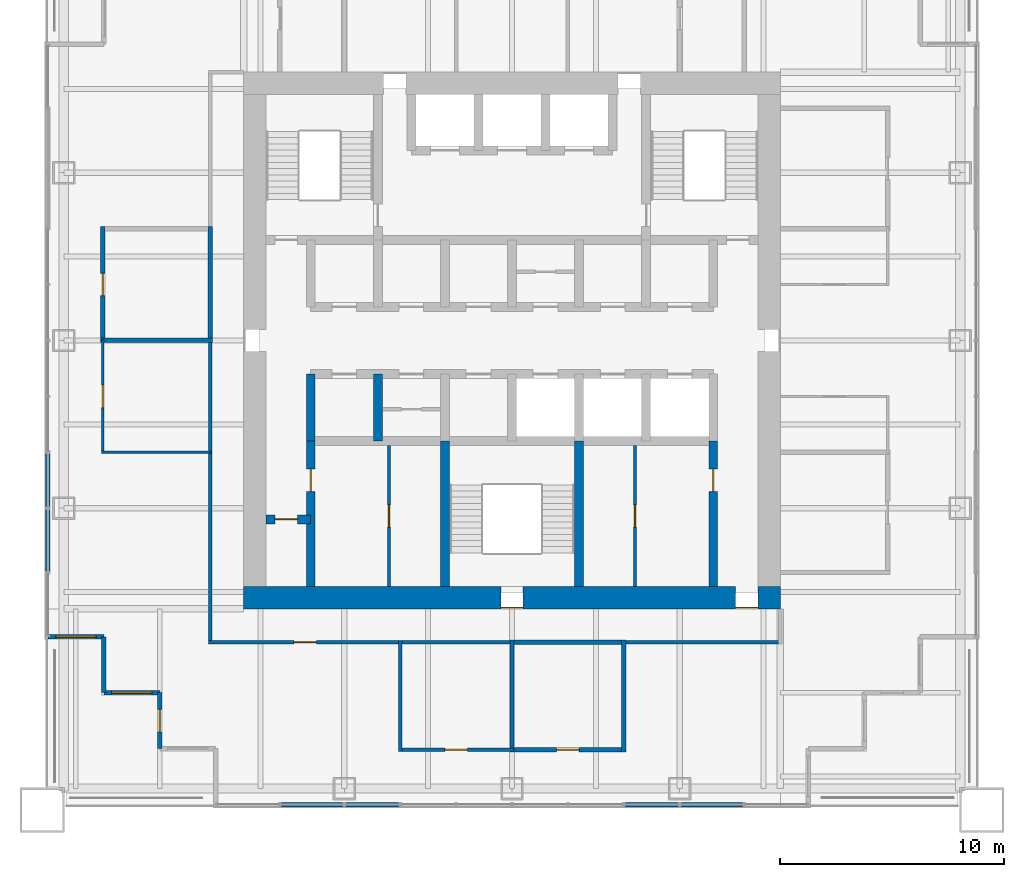
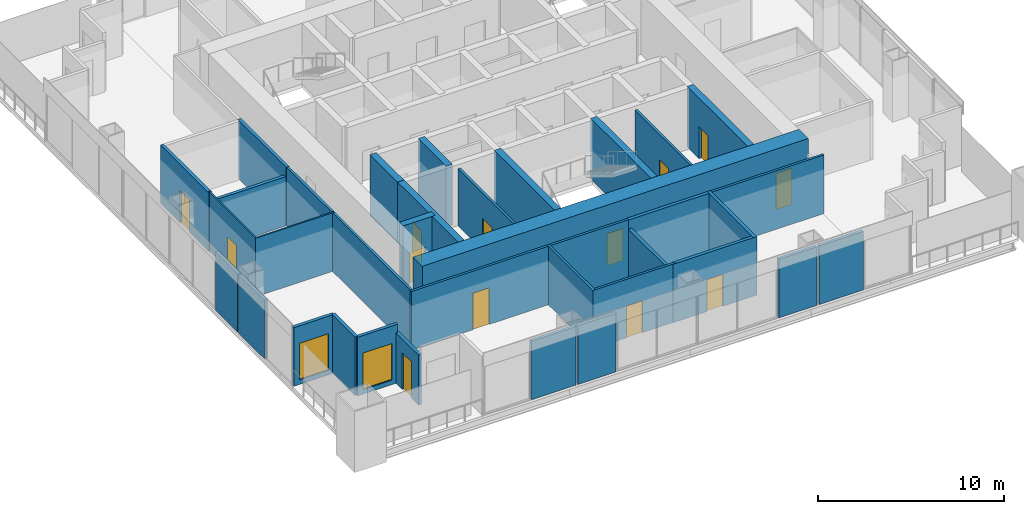
# One storey, part 9 of 14: 34 walls, 13 doors, 2 windows, 15 openings.
"""IFC4 building model written with IfcOpenShell, lengths in metres."""

from ifc_helpers import new_model, si_unit, direction, frame, frame_2d, origin, place, context, subcontext, project, spatial, rectangle, extrude, material, layer, layer_set, type_object, element, fill, save


model = new_model("IFC4")

# Units and contexts
model_context = context("Model", 3, precision=1e-05, world=origin(), true_north=direction((0.0, 1.0)))
body_context = subcontext(model_context, "Body", "Model", "MODEL_VIEW")
ifc_project = project(units=[si_unit("LENGTHUNIT", "METRE"), si_unit("AREAUNIT", "SQUARE_METRE"), si_unit("VOLUMEUNIT", "CUBIC_METRE"), si_unit("PLANEANGLEUNIT", "RADIAN"), si_unit("MASSUNIT", "GRAM", prefix="KILO")], contexts=[model_context])

# Site, building, storey
site_placement = place(None, origin())
site = spatial("IfcSite", under=ifc_project, at=site_placement, CompositionType="ELEMENT")
building_placement = place(site_placement, origin())
building = spatial("IfcBuilding", under=site, at=building_placement, Name="Tarangal Relay Tower", CompositionType="ELEMENT")
storey_placement = place(building_placement, frame((0.0, 0.0, 307.89990234375)))
storey = spatial("IfcBuildingStorey", under=building, at=storey_placement, Name="L68", CompositionType="ELEMENT", Elevation=307.89990234375)

# Wall, opening, door
ifc_material_1 = material(Name="Two layers gypsum board each side on twin steel studs, mineral wool", Category="steel")
ifc_layer_1 = layer(ifc_material_1, 0.199951171875)
ifc_layer_set_1 = layer_set([ifc_layer_1], Name="Acoustic partition 200")
wall_type_1 = type_object("IfcWallType", Name="Acoustic partition 200", PredefinedType="PARTITIONING", material=ifc_layer_set_1)
wall_1_placement = place(storey_placement, frame((-0.10009765625, -18.300048828125, 0.0), z_axis=(0.0, 0.0, 1.0), x_axis=(1.0, 0.0, 0.0)))
wall_1 = element("IfcWall", 1, at=wall_1_placement, inside=storey, type_object=wall_type_1, Name="Partition PT2 L68", PredefinedType="PARTITIONING", context=body_context, shape_type="SweptSolid", body=[
    extrude(rectangle(XDim=5.2001953125, YDim=0.199951171875, at=frame_2d((2.60009765625, 0.0))), origin(), (0.0, 0.0, 1.0), 3.85009765625),
])
opening_1_placement = place(wall_1_placement, frame((2.10009765625, 0.0, 0.0)))
opening_1 = element("IfcOpeningElement", 2, at=opening_1_placement, cuts=wall_1, Name="Opening D2", PredefinedType="OPENING", context=body_context, shape_type="SweptSolid", body=[
    extrude(rectangle(XDim=1.0, YDim=2.10009765625, at=frame_2d((0.5, 1.050048828125))), frame((0.0, 0.10986328125, 0.0), z_axis=(0.0, -1.0, 0.0), x_axis=(1.0, 0.0, 0.0)), (0.0, 0.0, 1.0), 0.219970703125),
])
ifc_material_2 = material(Name="Hardwood door", Category="wood")
door_type_1 = type_object("IfcDoorType", Name="Door 1000 x 2100", OperationType="SINGLE_SWING_LEFT", PredefinedType="DOOR", material=ifc_material_2)
door_1_placement = place(opening_1_placement, origin())
door_1 = element("IfcDoor", 3, at=door_1_placement, inside=storey, type_object=door_type_1, Name="Door D2 to quiet room L68-09", OperationType="SINGLE_SWING_LEFT", OverallHeight=2.10009765625, OverallWidth=1.0, PredefinedType="DOOR", context=body_context, shape_type="SweptSolid", body=[
    extrude(rectangle(XDim=1.0, YDim=2.10009765625, at=frame_2d((0.5, 1.050048828125))), frame((0.0, 0.02490234375, 0.0), z_axis=(0.0, -1.0, 0.0), x_axis=(1.0, 0.0, 0.0)), (0.0, 0.0, 1.0), 0.050048828125),
])
fill(opening_1, door_1)

# Walls
wall_2_placement = place(storey_placement, frame((-0.10009765625, -13.5, 0.0), z_axis=(0.0, 0.0, 1.0), x_axis=(1.0, 0.0, 0.0)))
element("IfcWall", 4, at=wall_2_placement, inside=storey, type_object=wall_type_1, Name="Partition PT2 L68", PredefinedType="PARTITIONING", context=body_context, shape_type="SweptSolid", body=[
    extrude(rectangle(XDim=5.2001953125, YDim=0.199951171875, at=frame_2d((2.60009765625, 0.0))), origin(), (0.0, 0.0, 1.0), 3.85009765625),
])
wall_3_placement = place(storey_placement, frame((-18.39990234375, 0.0, 0.0), z_axis=(0.0, 0.0, 1.0), x_axis=(1.0, 0.0, 0.0)))
element("IfcWall", 5, at=wall_3_placement, inside=storey, type_object=wall_type_1, Name="Partition PT2 L68", PredefinedType="PARTITIONING", context=body_context, shape_type="SweptSolid", body=[
    extrude(rectangle(XDim=5.0, YDim=0.199951171875, at=frame_2d((2.5, 0.0))), origin(), (0.0, 0.0, 1.0), 3.2431640625),
])

# Wall, opening, door
wall_4_placement = place(storey_placement, frame((-18.300048828125, -0.10009765625, 0.0), z_axis=(0.0, 0.0, 1.0), x_axis=(0.0, 1.0, 0.0)))
wall_4 = element("IfcWall", 6, at=wall_4_placement, inside=storey, type_object=wall_type_1, Name="Partition PT2 L68", PredefinedType="PARTITIONING", context=body_context, shape_type="SweptSolid", body=[
    extrude(rectangle(XDim=5.2001953125, YDim=0.199951171875, at=frame_2d((2.60009765625, 0.0))), origin(), (0.0, 0.0, 1.0), 3.85009765625),
])
opening_2_placement = place(wall_4_placement, frame((2.10009765625, 0.0, 0.0)))
opening_2 = element("IfcOpeningElement", 7, at=opening_2_placement, cuts=wall_4, Name="Opening D2", PredefinedType="OPENING", context=body_context, shape_type="SweptSolid", body=[
    extrude(rectangle(XDim=1.0, YDim=2.10009765625, at=frame_2d((0.5, 1.050048828125))), frame((0.0, 0.10986328125, 0.0), z_axis=(0.0, -1.0, 0.0), x_axis=(1.0, 0.0, 0.0)), (0.0, 0.0, 1.0), 0.219970703125),
])
door_2_placement = place(opening_2_placement, origin())
door_2 = element("IfcDoor", 8, at=door_2_placement, inside=storey, type_object=door_type_1, Name="Door D2 to wellness room L68-12", OperationType="SINGLE_SWING_LEFT", OverallHeight=2.10009765625, OverallWidth=1.0, PredefinedType="DOOR", context=body_context, shape_type="SweptSolid", body=[
    extrude(rectangle(XDim=1.0, YDim=2.10009765625, at=frame_2d((0.5, 1.050048828125))), frame((0.0, 0.02490234375, 0.0), z_axis=(0.0, -1.0, 0.0), x_axis=(1.0, 0.0, 0.0)), (0.0, 0.0, 1.0), 0.050048828125),
])
fill(opening_2, door_2)

# Walls
wall_5_placement = place(storey_placement, frame((-13.5, -0.10009765625, 0.0), z_axis=(0.0, 0.0, 1.0), x_axis=(0.0, 1.0, 0.0)))
element("IfcWall", 9, at=wall_5_placement, inside=storey, type_object=wall_type_1, Name="Partition PT2 L68", PredefinedType="PARTITIONING", context=body_context, shape_type="SweptSolid", body=[
    extrude(rectangle(XDim=5.2001953125, YDim=0.199951171875, at=frame_2d((2.60009765625, 0.0))), origin(), (0.0, 0.0, 1.0), 3.85009765625),
])
wall_6_placement = place(storey_placement, frame((0.0, -18.39990234375, 0.0), z_axis=(0.0, 0.0, 1.0), x_axis=(0.0, 1.0, 0.0)))
element("IfcWall", 10, at=wall_6_placement, inside=storey, type_object=wall_type_1, Name="Partition PT2 L68", PredefinedType="PARTITIONING", context=body_context, shape_type="SweptSolid", body=[
    extrude(rectangle(XDim=5.0, YDim=0.199951171875, at=frame_2d((2.5, 0.0))), origin(), (0.0, 0.0, 1.0), 3.2431640625),
])
wall_7_placement = place(storey_placement, frame((5.0, -18.39990234375, 0.0), z_axis=(0.0, 0.0, 1.0), x_axis=(0.0, 1.0, 0.0)))
element("IfcWall", 11, at=wall_7_placement, inside=storey, type_object=wall_type_1, Name="Partition PT2 L68", PredefinedType="PARTITIONING", context=body_context, shape_type="SweptSolid", body=[
    extrude(rectangle(XDim=5.0, YDim=0.199951171875, at=frame_2d((2.5, 0.0))), origin(), (0.0, 0.0, 1.0), 3.85009765625),
])

# Wall, opening, door
ifc_material_3 = material(Name="Concrete fc' 60 MPa", Category="concrete")
ifc_layer_2 = layer(ifc_material_3, 0.39990234375)
ifc_layer_set_2 = layer_set([ifc_layer_2], Name="Core inner wall 400")
wall_type_2 = type_object("IfcWallType", Name="Core inner wall 400", PredefinedType="SHEAR", material=ifc_layer_set_2)
wall_8_placement = place(storey_placement, frame((-11.0, -8.0, 0.0), z_axis=(0.0, 0.0, 1.0), x_axis=(1.0, 0.0, 0.0)))
wall_8 = element("IfcWall", 12, at=wall_8_placement, inside=storey, type_object=wall_type_2, Name="Core wall YM8 L68", PredefinedType="SHEAR", context=body_context, shape_type="SweptSolid", body=[
    extrude(rectangle(XDim=2.0, YDim=0.39990234375, at=frame_2d((1.0, 0.0))), origin(), (0.0, 0.0, 1.0), 4.0),
])
opening_3_placement = place(wall_8_placement, frame((0.39990234375, 0.0, 0.0)))
opening_3 = element("IfcOpeningElement", 13, at=opening_3_placement, cuts=wall_8, Name="Opening D1", PredefinedType="OPENING", context=body_context, shape_type="SweptSolid", body=[
    extrude(rectangle(XDim=1.0, YDim=2.10009765625, at=frame_2d((0.5, 1.050048828125))), frame((0.0, 0.2099609375, 0.0), z_axis=(0.0, -1.0, 0.0), x_axis=(1.0, 0.0, 0.0)), (0.0, 0.0, 1.0), 0.419921875),
])
door_type_2 = type_object("IfcDoorType", Name="WC door 1000 x 2100", OperationType="SINGLE_SWING_LEFT", PredefinedType="DOOR", material=ifc_material_2)
door_3_placement = place(opening_3_placement, origin())
door_3 = element("IfcDoor", 14, at=door_3_placement, inside=storey, type_object=door_type_2, Name="Accessible WC door L68", OperationType="SINGLE_SWING_LEFT", OverallHeight=2.10009765625, OverallWidth=1.0, PredefinedType="DOOR", context=body_context, shape_type="SweptSolid", body=[
    extrude(rectangle(XDim=1.0, YDim=2.10009765625, at=frame_2d((0.5, 1.050048828125))), frame((0.0, 0.02490234375, 0.0), z_axis=(0.0, -1.0, 0.0), x_axis=(1.0, 0.0, 0.0)), (0.0, 0.0, 1.0), 0.050048828125),
])
fill(opening_3, door_3)

# Walls
for number, where, z_axis, x_axis, name in (
    (15, (-9.0, -4.5, 0.0), (0.0, 0.0, 1.0), (0.0, 1.0, 0.0), "Core wall XM9S L68"),
    (16, (-6.0, -4.5, 0.0), (0.0, 0.0, 1.0), (0.0, 1.0, 0.0), "Core wall XM6S L68"),
):
    element("IfcWall", number, at=place(storey_placement, frame(where, z_axis=z_axis, x_axis=x_axis)), inside=storey, type_object=wall_type_2, Name=name, PredefinedType="SHEAR", context=body_context, shape_type="SweptSolid", body=[
        extrude(rectangle(XDim=3.0, YDim=0.39990234375, at=frame_2d((1.5, 0.0))), origin(), (0.0, 0.0, 1.0), 4.0),
    ])

# Wall, opening, door
wall_9_placement = place(storey_placement, frame((-9.0, -11.0, 0.0), z_axis=(0.0, 0.0, 1.0), x_axis=(0.0, 1.0, 0.0)))
wall_9 = element("IfcWall", 17, at=wall_9_placement, inside=storey, type_object=wall_type_2, Name="Core wall XM9W L68", PredefinedType="SHEAR", context=body_context, shape_type="SweptSolid", body=[
    extrude(rectangle(XDim=6.5, YDim=0.39990234375, at=frame_2d((3.25, 0.0))), origin(), (0.0, 0.0, 1.0), 4.0),
])
opening_4_placement = place(wall_9_placement, frame((4.25, 0.0, 0.0)))
opening_4 = element("IfcOpeningElement", 18, at=opening_4_placement, cuts=wall_9, Name="Opening D1", PredefinedType="OPENING", context=body_context, shape_type="SweptSolid", body=[
    extrude(rectangle(XDim=1.0, YDim=2.10009765625, at=frame_2d((0.5, 1.050048828125))), frame((0.0, 0.2099609375, 0.0), z_axis=(0.0, -1.0, 0.0), x_axis=(1.0, 0.0, 0.0)), (0.0, 0.0, 1.0), 0.419921875),
])
door_4_placement = place(opening_4_placement, origin())
door_4 = element("IfcDoor", 19, at=door_4_placement, inside=storey, type_object=door_type_2, Name="Male WC door L68", OperationType="SINGLE_SWING_LEFT", OverallHeight=2.10009765625, OverallWidth=1.0, PredefinedType="DOOR", context=body_context, shape_type="SweptSolid", body=[
    extrude(rectangle(XDim=1.0, YDim=2.10009765625, at=frame_2d((0.5, 1.050048828125))), frame((0.0, 0.02490234375, 0.0), z_axis=(0.0, -1.0, 0.0), x_axis=(1.0, 0.0, 0.0)), (0.0, 0.0, 1.0), 0.050048828125),
])
fill(opening_4, door_4)

wall_10_placement = place(storey_placement, frame((9.0, -11.0, 0.0), z_axis=(0.0, 0.0, 1.0), x_axis=(0.0, 1.0, 0.0)))
wall_10 = element("IfcWall", 20, at=wall_10_placement, inside=storey, type_object=wall_type_2, Name="Core wall X9W L68", PredefinedType="SHEAR", context=body_context, shape_type="SweptSolid", body=[
    extrude(rectangle(XDim=6.5, YDim=0.39990234375, at=frame_2d((3.25, 0.0))), origin(), (0.0, 0.0, 1.0), 4.0),
])
opening_5_placement = place(wall_10_placement, frame((4.25, 0.0, 0.0)))
opening_5 = element("IfcOpeningElement", 21, at=opening_5_placement, cuts=wall_10, Name="Opening D1", PredefinedType="OPENING", context=body_context, shape_type="SweptSolid", body=[
    extrude(rectangle(XDim=1.0, YDim=2.10009765625, at=frame_2d((0.5, 1.050048828125))), frame((0.0, 0.2099609375, 0.0), z_axis=(0.0, -1.0, 0.0), x_axis=(1.0, 0.0, 0.0)), (0.0, 0.0, 1.0), 0.419921875),
])
door_5_placement = place(opening_5_placement, origin())
door_5 = element("IfcDoor", 22, at=door_5_placement, inside=storey, type_object=door_type_2, Name="Female WC door L68", OperationType="SINGLE_SWING_LEFT", OverallHeight=2.10009765625, OverallWidth=1.0, PredefinedType="DOOR", context=body_context, shape_type="SweptSolid", body=[
    extrude(rectangle(XDim=1.0, YDim=2.10009765625, at=frame_2d((0.5, 1.050048828125))), frame((0.0, 0.02490234375, 0.0), z_axis=(0.0, -1.0, 0.0), x_axis=(1.0, 0.0, 0.0)), (0.0, 0.0, 1.0), 0.050048828125),
])
fill(opening_5, door_5)

# Walls
for number, where, z_axis, x_axis, name in (
    (23, (-3.0, -11.0, 0.0), (0.0, 0.0, 1.0), (0.0, 1.0, 0.0), "Core wall XM3W L68"),
    (24, (3.0, -11.0, 0.0), (0.0, 0.0, 1.0), (0.0, 1.0, 0.0), "Core wall X3W L68"),
):
    element("IfcWall", number, at=place(storey_placement, frame(where, z_axis=z_axis, x_axis=x_axis)), inside=storey, type_object=wall_type_2, Name=name, PredefinedType="SHEAR", context=body_context, shape_type="SweptSolid", body=[
        extrude(rectangle(XDim=6.5, YDim=0.39990234375, at=frame_2d((3.25, 0.0))), origin(), (0.0, 0.0, 1.0), 4.0),
    ])

# Wall, openings, doors
ifc_layer_3 = layer(ifc_material_3, 1.0)
ifc_layer_set_3 = layer_set([ifc_layer_3], Name="Core wall 1000")
wall_type_3 = type_object("IfcWallType", Name="Core wall 1000", PredefinedType="SHEAR", material=ifc_layer_set_3)
wall_11_placement = place(storey_placement, frame((12.0, -11.5, 0.0), z_axis=(0.0, 0.0, 1.0), x_axis=(-1.0, 0.0, 0.0)))
wall_11 = element("IfcWall", 25, at=wall_11_placement, inside=storey, type_object=wall_type_3, Name="Core wall S L68", PredefinedType="SHEAR", context=body_context, shape_type="SweptSolid", body=[
    extrude(rectangle(XDim=24.0, YDim=1.0, at=frame_2d((12.0, 0.0))), origin(), (0.0, 0.0, 1.0), 4.0),
])
opening_6_placement = place(wall_11_placement, frame((11.5, 0.0, 0.0)))
opening_6 = element("IfcOpeningElement", 26, at=opening_6_placement, cuts=wall_11, Name="Opening FD1", PredefinedType="OPENING", context=body_context, shape_type="SweptSolid", body=[
    extrude(rectangle(XDim=1.0, YDim=2.10009765625, at=frame_2d((0.5, 1.050048828125))), frame((0.0, 0.510009765625, 0.0), z_axis=(0.0, -1.0, 0.0), x_axis=(1.0, 0.0, 0.0)), (0.0, 0.0, 1.0), 1.02001953125),
])
opening_7_placement = place(wall_11_placement, frame((1.0, 0.0, 0.0)))
opening_7 = element("IfcOpeningElement", 27, at=opening_7_placement, cuts=wall_11, Name="Opening FD3", PredefinedType="OPENING", context=body_context, shape_type="SweptSolid", body=[
    extrude(rectangle(XDim=1.0, YDim=2.39990234375, at=frame_2d((0.5, 1.199951171875))), frame((0.0, 0.510009765625, 0.0), z_axis=(0.0, -1.0, 0.0), x_axis=(1.0, 0.0, 0.0)), (0.0, 0.0, 1.0), 1.02001953125),
])
ifc_material_4 = material(Name="Steel door with hardwood frame", Category="steel")
door_type_3 = type_object("IfcDoorType", Name="Fire door 1000 x 2100", OperationType="SINGLE_SWING_LEFT", PredefinedType="DOOR", material=ifc_material_4)
door_6_placement = place(opening_6_placement, origin())
door_6 = element("IfcDoor", 28, at=door_6_placement, inside=storey, type_object=door_type_3, Name="Stair ST-C door L68", OperationType="SINGLE_SWING_LEFT", OverallHeight=2.10009765625, OverallWidth=1.0, PredefinedType="DOOR", context=body_context, shape_type="SweptSolid", body=[
    extrude(rectangle(XDim=1.0, YDim=2.10009765625, at=frame_2d((0.5, 1.050048828125))), frame((0.0, 0.48486328125, 0.0), z_axis=(0.0, -1.0, 0.0), x_axis=(1.0, 0.0, 0.0)), (0.0, 0.0, 1.0), 0.050048828125),
])
fill(opening_6, door_6)
door_type_4 = type_object("IfcDoorType", Name="Fire door 1000 x 2400 core entry", OperationType="SINGLE_SWING_RIGHT", PredefinedType="DOOR", material=ifc_material_4)
door_7_placement = place(opening_7_placement, origin())
door_7 = element("IfcDoor", 29, at=door_7_placement, inside=storey, type_object=door_type_4, Name="Core entry door south east L68", OperationType="SINGLE_SWING_RIGHT", OverallHeight=2.39990234375, OverallWidth=1.0, PredefinedType="DOOR", context=body_context, shape_type="SweptSolid", body=[
    extrude(rectangle(XDim=1.0, YDim=2.39990234375, at=frame_2d((0.5, 1.199951171875))), frame((0.0, 0.48486328125, 0.0), z_axis=(0.0, -1.0, 0.0), x_axis=(1.0, 0.0, 0.0)), (0.0, 0.0, 1.0), 0.050048828125),
])
fill(opening_7, door_7)

# Wall, opening, door
ifc_material_5 = material(Name="Black metal clad insulated wall", Category="steel")
ifc_layer_4 = layer(ifc_material_5, 0.199951171875)
ifc_layer_set_4 = layer_set([ifc_layer_4], Name="Corner wall metal clad 200")
wall_type_4 = type_object("IfcWallType", Name="Corner wall metal clad 200", PredefinedType="SOLIDWALL", material=ifc_layer_set_4)
wall_12_placement = place(storey_placement, frame((-15.75, -18.25, 0.0), z_axis=(0.0, 0.0, 1.0), x_axis=(0.0, 1.0, 0.0)))
wall_12 = element("IfcWall", 30, at=wall_12_placement, inside=storey, type_object=wall_type_4, Name="Facade wall S facade L68", PredefinedType="SOLIDWALL", context=body_context, shape_type="SweptSolid", body=[
    extrude(rectangle(XDim=2.5, YDim=0.199951171875, at=frame_2d((1.25, 0.0))), origin(), (0.0, 0.0, 1.0), 3.316650390625),
])
opening_8_placement = place(wall_12_placement, frame((0.75, 0.0, 0.0)))
opening_8 = element("IfcOpeningElement", 31, at=opening_8_placement, cuts=wall_12, Name="Opening TD1", PredefinedType="OPENING", context=body_context, shape_type="SweptSolid", body=[
    extrude(rectangle(XDim=1.0, YDim=2.39990234375, at=frame_2d((0.5, 1.199951171875))), frame((0.0, 0.10986328125, 0.0), z_axis=(0.0, -1.0, 0.0), x_axis=(1.0, 0.0, 0.0)), (0.0, 0.0, 1.0), 0.219970703125),
])
ifc_material_6 = material(Name="Aluminium glazed door", Category="aluminium")
door_type_5 = type_object("IfcDoorType", Name="Terrace door 1000 x 2400", OperationType="SINGLE_SWING_RIGHT", PredefinedType="DOOR", material=ifc_material_6)
door_8_placement = place(opening_8_placement, origin())
door_8 = element("IfcDoor", 32, at=door_8_placement, inside=storey, type_object=door_type_5, Name="Terrace door TD1 SW L68", OperationType="SINGLE_SWING_RIGHT", OverallHeight=2.39990234375, OverallWidth=1.0, PredefinedType="DOOR", context=body_context, shape_type="SweptSolid", body=[
    extrude(rectangle(XDim=1.0, YDim=2.39990234375, at=frame_2d((0.5, 1.199951171875))), frame((0.0, 0.02490234375, 0.0), z_axis=(0.0, -1.0, 0.0), x_axis=(1.0, 0.0, 0.0)), (0.0, 0.0, 1.0), 0.050048828125),
])
fill(opening_8, door_8)

# Wall, opening, window
wall_13_placement = place(storey_placement, frame((-15.75, -15.75, 0.0), z_axis=(0.0, 0.0, 1.0), x_axis=(-1.0, 0.0, 0.0)))
wall_13 = element("IfcWall", 33, at=wall_13_placement, inside=storey, type_object=wall_type_4, Name="Facade wall S facade L68", PredefinedType="SOLIDWALL", context=body_context, shape_type="SweptSolid", body=[
    extrude(rectangle(XDim=2.5, YDim=0.199951171875, at=frame_2d((1.25, 0.0))), origin(), (0.0, 0.0, 1.0), 3.85009765625),
])
opening_9_placement = place(wall_13_placement, frame((0.35009765625, 0.0, 0.300048828125)))
opening_9 = element("IfcOpeningElement", 34, at=opening_9_placement, cuts=wall_13, Name="Opening WN2", PredefinedType="OPENING", context=body_context, shape_type="SweptSolid", body=[
    extrude(rectangle(XDim=1.800048828125, YDim=2.39990234375, at=frame_2d((0.89990234375, 1.199951171875))), frame((0.0, 0.10986328125, 0.0), z_axis=(0.0, -1.0, 0.0), x_axis=(1.0, 0.0, 0.0)), (0.0, 0.0, 1.0), 0.219970703125),
])
ifc_material_7 = material(Name="Dark tinted double glazing in black aluminium frame", Category="aluminium")
window_type = type_object("IfcWindowType", Name="Corner window 1800 x 2400", PartitioningType="SINGLE_PANEL", PredefinedType="WINDOW", material=ifc_material_7)
window_1_placement = place(opening_9_placement, origin())
window_1 = element("IfcWindow", 35, at=window_1_placement, inside=storey, type_object=window_type, Name="Corner window WN2 S facade L68", OverallHeight=2.39990234375, OverallWidth=1.800048828125, PartitioningType="SINGLE_PANEL", PredefinedType="WINDOW", context=body_context, shape_type="SweptSolid", body=[
    extrude(rectangle(XDim=1.800048828125, YDim=2.39990234375, at=frame_2d((0.89990234375, 1.199951171875))), frame((0.0, 0.030029296875, 0.0), z_axis=(0.0, -1.0, 0.0), x_axis=(1.0, 0.0, 0.0)), (0.0, 0.0, 1.0), 0.06005859375),
])
fill(opening_9, window_1)

# Wall
wall_14_placement = place(storey_placement, frame((-18.25, -15.75, 0.0), z_axis=(0.0, 0.0, 1.0), x_axis=(0.0, 1.0, 0.0)))
element("IfcWall", 36, at=wall_14_placement, inside=storey, type_object=wall_type_4, Name="Facade wall S facade L68", PredefinedType="SOLIDWALL", context=body_context, shape_type="SweptSolid", body=[
    extrude(rectangle(XDim=2.5, YDim=0.199951171875, at=frame_2d((1.25, 0.0))), origin(), (0.0, 0.0, 1.0), 3.85009765625),
])

# Wall, opening, window
wall_15_placement = place(storey_placement, frame((-18.25, -13.25, 0.0), z_axis=(0.0, 0.0, 1.0), x_axis=(-1.0, 0.0, 0.0)))
wall_15 = element("IfcWall", 37, at=wall_15_placement, inside=storey, type_object=wall_type_4, Name="Facade wall S facade L68", PredefinedType="SOLIDWALL", context=body_context, shape_type="SweptSolid", body=[
    extrude(rectangle(XDim=2.5, YDim=0.199951171875, at=frame_2d((1.25, 0.0))), origin(), (0.0, 0.0, 1.0), 3.85009765625),
])
opening_10_placement = place(wall_15_placement, frame((0.35009765625, 0.0, 0.300048828125)))
opening_10 = element("IfcOpeningElement", 38, at=opening_10_placement, cuts=wall_15, Name="Opening WN2", PredefinedType="OPENING", context=body_context, shape_type="SweptSolid", body=[
    extrude(rectangle(XDim=1.800048828125, YDim=2.39990234375, at=frame_2d((0.89990234375, 1.199951171875))), frame((0.0, 0.10986328125, 0.0), z_axis=(0.0, -1.0, 0.0), x_axis=(1.0, 0.0, 0.0)), (0.0, 0.0, 1.0), 0.219970703125),
])
window_2_placement = place(opening_10_placement, origin())
window_2 = element("IfcWindow", 39, at=window_2_placement, inside=storey, type_object=window_type, Name="Corner window WN2 S facade L68", OverallHeight=2.39990234375, OverallWidth=1.800048828125, PartitioningType="SINGLE_PANEL", PredefinedType="WINDOW", context=body_context, shape_type="SweptSolid", body=[
    extrude(rectangle(XDim=1.800048828125, YDim=2.39990234375, at=frame_2d((0.89990234375, 1.199951171875))), frame((0.0, 0.030029296875, 0.0), z_axis=(0.0, -1.0, 0.0), x_axis=(1.0, 0.0, 0.0)), (0.0, 0.0, 1.0), 0.06005859375),
])
fill(opening_10, window_2)

# Walls
ifc_layer_5 = layer(ifc_material_5, 0.199951171875)
ifc_layer_set_5 = layer_set([ifc_layer_5], Name="Facade infill wall metal clad 200")
wall_type_5 = type_object("IfcWallType", Name="Facade infill wall metal clad 200", PredefinedType="SOLIDWALL", material=ifc_layer_set_5)
wall_16_placement = place(storey_placement, frame((10.31494140625, -20.75, 0.0), z_axis=(0.0, 0.0, 1.0), x_axis=(-1.0, 0.0, 0.0)))
element("IfcWall", 40, at=wall_16_placement, inside=storey, type_object=wall_type_5, Name="Facade infill wall S facade L68 1.1", PredefinedType="SOLIDWALL", context=body_context, shape_type="SweptSolid", body=[
    extrude(rectangle(XDim=2.7548828125, YDim=0.199951171875, at=frame_2d((1.37744140625, 0.0))), origin(), (0.0, 0.0, 1.0), 3.85009765625),
])
for number, where, z_axis, x_axis, name in (
    (41, (7.43994140625, -20.75, 0.0), (0.0, 0.0, 1.0), (-1.0, 0.0, 0.0), "Facade infill wall S facade L68 1.1"),
    (42, (-5.06005859375, -20.75, 0.0), (0.0, 0.0, 1.0), (-1.0, 0.0, 0.0), "Facade infill wall S facade L68 1.1"),
):
    element("IfcWall", number, at=place(storey_placement, frame(where, z_axis=z_axis, x_axis=x_axis)), inside=storey, type_object=wall_type_5, Name=name, PredefinedType="SOLIDWALL", context=body_context, shape_type="SweptSolid", body=[
        extrude(rectangle(XDim=2.3798828125, YDim=0.199951171875, at=frame_2d((1.18994140625, 0.0))), origin(), (0.0, 0.0, 1.0), 3.85009765625),
    ])
for number, where, z_axis, x_axis, name in (
    (43, (-7.56005859375, -20.75, 0.0), (0.0, 0.0, 1.0), (-1.0, 0.0, 0.0), "Facade infill wall S facade L68 1.1"),
    (44, (-20.75, -10.31494140625, 0.0), (0.0, 0.0, 1.0), (0.0, 1.0, 0.0), "Facade infill wall W facade L68 1.1"),
):
    element("IfcWall", number, at=place(storey_placement, frame(where, z_axis=z_axis, x_axis=x_axis)), inside=storey, type_object=wall_type_5, Name=name, PredefinedType="SOLIDWALL", context=body_context, shape_type="SweptSolid", body=[
        extrude(rectangle(XDim=2.7548828125, YDim=0.199951171875, at=frame_2d((1.37744140625, 0.0))), origin(), (0.0, 0.0, 1.0), 3.85009765625),
    ])
wall_17_placement = place(storey_placement, frame((-20.75, -7.43994140625, 0.0), z_axis=(0.0, 0.0, 1.0), x_axis=(0.0, 1.0, 0.0)))
element("IfcWall", 45, at=wall_17_placement, inside=storey, type_object=wall_type_5, Name="Facade infill wall W facade L68 1.1", PredefinedType="SOLIDWALL", context=body_context, shape_type="SweptSolid", body=[
    extrude(rectangle(XDim=2.3798828125, YDim=0.199951171875, at=frame_2d((1.18994140625, 0.0))), origin(), (0.0, 0.0, 1.0), 3.85009765625),
])
ifc_material_8 = material(Name="Double glazed aluminium framed partition", Category="aluminium")
ifc_layer_6 = layer(ifc_material_8, 0.10009765625)
ifc_layer_set_6 = layer_set([ifc_layer_6], Name="Glazed partition 100")
wall_type_6 = type_object("IfcWallType", Name="Glazed partition 100", PredefinedType="PARTITIONING", material=ifc_layer_set_6)
wall_18_placement = place(storey_placement, frame((-18.35009765625, -5.0, 0.0), z_axis=(0.0, 0.0, 1.0), x_axis=(1.0, 0.0, 0.0)))
element("IfcWall", 46, at=wall_18_placement, inside=storey, type_object=wall_type_6, Name="Partition PT3 L68", PredefinedType="PARTITIONING", context=body_context, shape_type="SweptSolid", body=[
    extrude(rectangle(XDim=4.900146484375, YDim=0.10009765625, at=frame_2d((2.4501953125, 0.0))), origin(), (0.0, 0.0, 1.0), 3.85009765625),
])

# Wall, opening, door
wall_19_placement = place(storey_placement, frame((-18.300048828125, -5.050048828125, 0.0), z_axis=(0.0, 0.0, 1.0), x_axis=(0.0, 1.0, 0.0)))
wall_19 = element("IfcWall", 47, at=wall_19_placement, inside=storey, type_object=wall_type_6, Name="Partition PT3 L68", PredefinedType="PARTITIONING", context=body_context, shape_type="SweptSolid", body=[
    extrude(rectangle(XDim=5.10009765625, YDim=0.10009765625, at=frame_2d((2.550048828125, 0.0))), origin(), (0.0, 0.0, 1.0), 3.85009765625),
])
opening_11_placement = place(wall_19_placement, frame((2.050048828125, 0.0, 0.0)))
opening_11 = element("IfcOpeningElement", 48, at=opening_11_placement, cuts=wall_19, Name="Opening D3", PredefinedType="OPENING", context=body_context, shape_type="SweptSolid", body=[
    extrude(rectangle(XDim=1.0, YDim=2.10009765625, at=frame_2d((0.5, 1.050048828125))), frame((0.0, 0.06005859375, 0.0), z_axis=(0.0, -1.0, 0.0), x_axis=(1.0, 0.0, 0.0)), (0.0, 0.0, 1.0), 0.1201171875),
])
ifc_material_9 = material(Name="Frameless glass door", Category="glass")
door_type_6 = type_object("IfcDoorType", Name="Glazed door 1000 x 2100", OperationType="SINGLE_SWING_LEFT", PredefinedType="DOOR", material=ifc_material_9)
door_9_placement = place(opening_11_placement, origin())
door_9 = element("IfcDoor", 49, at=door_9_placement, inside=storey, type_object=door_type_6, Name="Door D3 to team room L68-11", OperationType="SINGLE_SWING_LEFT", OverallHeight=2.10009765625, OverallWidth=1.0, PredefinedType="DOOR", context=body_context, shape_type="SweptSolid", body=[
    extrude(rectangle(XDim=1.0, YDim=2.10009765625, at=frame_2d((0.5, 1.050048828125))), frame((0.0, 0.02490234375, 0.0), z_axis=(0.0, -1.0, 0.0), x_axis=(1.0, 0.0, 0.0)), (0.0, 0.0, 1.0), 0.050048828125),
])
fill(opening_11, door_9)

ifc_material_10 = material(Name="Gypsum board on steel studs", Category="steel")
ifc_layer_7 = layer(ifc_material_10, 0.14990234375)
ifc_layer_set_7 = layer_set([ifc_layer_7], Name="Partition 150")
wall_type_7 = type_object("IfcWallType", Name="Partition 150", PredefinedType="PARTITIONING", material=ifc_layer_set_7)
wall_20_placement = place(storey_placement, frame((-5.074951171875, -18.300048828125, 0.0), z_axis=(0.0, 0.0, 1.0), x_axis=(1.0, 0.0, 0.0)))
wall_20 = element("IfcWall", 50, at=wall_20_placement, inside=storey, type_object=wall_type_7, Name="Partition PT1 L68", PredefinedType="PARTITIONING", context=body_context, shape_type="SweptSolid", body=[
    extrude(rectangle(XDim=5.14990234375, YDim=0.14990234375, at=frame_2d((2.574951171875, 0.0))), origin(), (0.0, 0.0, 1.0), 3.85009765625),
])
opening_12_placement = place(wall_20_placement, frame((2.074951171875, 0.0, 0.0)))
opening_12 = element("IfcOpeningElement", 51, at=opening_12_placement, cuts=wall_20, Name="Opening D2", PredefinedType="OPENING", context=body_context, shape_type="SweptSolid", body=[
    extrude(rectangle(XDim=1.0, YDim=2.10009765625, at=frame_2d((0.5, 1.050048828125))), frame((0.0, 0.0849609375, 0.0), z_axis=(0.0, -1.0, 0.0), x_axis=(1.0, 0.0, 0.0)), (0.0, 0.0, 1.0), 0.169921875),
])
door_10_placement = place(opening_12_placement, origin())
door_10 = element("IfcDoor", 52, at=door_10_placement, inside=storey, type_object=door_type_1, Name="Door D2 to print room L68-10", OperationType="SINGLE_SWING_LEFT", OverallHeight=2.10009765625, OverallWidth=1.0, PredefinedType="DOOR", context=body_context, shape_type="SweptSolid", body=[
    extrude(rectangle(XDim=1.0, YDim=2.10009765625, at=frame_2d((0.5, 1.050048828125))), frame((0.0, 0.02490234375, 0.0), z_axis=(0.0, -1.0, 0.0), x_axis=(1.0, 0.0, 0.0)), (0.0, 0.0, 1.0), 0.050048828125),
])
fill(opening_12, door_10)

wall_21_placement = place(storey_placement, frame((-13.574951171875, -13.5, 0.0), z_axis=(0.0, 0.0, 1.0), x_axis=(1.0, 0.0, 0.0)))
wall_21 = element("IfcWall", 53, at=wall_21_placement, inside=storey, type_object=wall_type_7, Name="Partition PT1 L68", PredefinedType="PARTITIONING", context=body_context, shape_type="SweptSolid", body=[
    extrude(rectangle(XDim=13.64990234375, YDim=0.14990234375, at=frame_2d((6.824951171875, 0.0))), origin(), (0.0, 0.0, 1.0), 3.85009765625),
])
opening_13_placement = place(wall_21_placement, frame((3.824951171875, 0.0, 0.0)))
opening_13 = element("IfcOpeningElement", 54, at=opening_13_placement, cuts=wall_21, Name="Opening SD1", PredefinedType="OPENING", context=body_context, shape_type="SweptSolid", body=[
    extrude(rectangle(XDim=1.0, YDim=2.39990234375, at=frame_2d((0.5, 1.199951171875))), frame((0.0, 0.0849609375, 0.0), z_axis=(0.0, -1.0, 0.0), x_axis=(1.0, 0.0, 0.0)), (0.0, 0.0, 1.0), 0.169921875),
])
door_type_7 = type_object("IfcDoorType", Name="Suite entrance door 1000 x 2400", OperationType="SINGLE_SWING_RIGHT", PredefinedType="DOOR", material=ifc_material_4)
door_11_placement = place(opening_13_placement, origin())
door_11 = element("IfcDoor", 55, at=door_11_placement, inside=storey, type_object=door_type_7, Name="Door SD1 to open plan office L68-13", OperationType="SINGLE_SWING_RIGHT", OverallHeight=2.39990234375, OverallWidth=1.0, PredefinedType="DOOR", context=body_context, shape_type="SweptSolid", body=[
    extrude(rectangle(XDim=1.0, YDim=2.39990234375, at=frame_2d((0.5, 1.199951171875))), frame((0.0, 0.02490234375, 0.0), z_axis=(0.0, -1.0, 0.0), x_axis=(1.0, 0.0, 0.0)), (0.0, 0.0, 1.0), 0.050048828125),
])
fill(opening_13, door_11)

# Walls
wall_22_placement = place(storey_placement, frame((4.925048828125, -13.5, 0.0), z_axis=(0.0, 0.0, 1.0), x_axis=(1.0, 0.0, 0.0)))
element("IfcWall", 56, at=wall_22_placement, inside=storey, type_object=wall_type_7, Name="Partition PT1 L68", PredefinedType="PARTITIONING", context=body_context, shape_type="SweptSolid", body=[
    extrude(rectangle(XDim=7.14990234375, YDim=0.14990234375, at=frame_2d((3.574951171875, 0.0))), origin(), (0.0, 0.0, 1.0), 3.85009765625),
])
wall_23_placement = place(storey_placement, frame((-13.5, -13.574951171875, 0.0), z_axis=(0.0, 0.0, 1.0), x_axis=(0.0, 1.0, 0.0)))
element("IfcWall", 57, at=wall_23_placement, inside=storey, type_object=wall_type_7, Name="Partition PT1 L68", PredefinedType="PARTITIONING", context=body_context, shape_type="SweptSolid", body=[
    extrude(rectangle(XDim=13.64990234375, YDim=0.14990234375, at=frame_2d((6.824951171875, 0.0))), origin(), (0.0, 0.0, 1.0), 3.85009765625),
])
wall_24_placement = place(storey_placement, frame((-5.0, -18.375, 0.0), z_axis=(0.0, 0.0, 1.0), x_axis=(0.0, 1.0, 0.0)))
element("IfcWall", 58, at=wall_24_placement, inside=storey, type_object=wall_type_7, Name="Partition PT1 L68", PredefinedType="PARTITIONING", context=body_context, shape_type="SweptSolid", body=[
    extrude(rectangle(XDim=4.949951171875, YDim=0.14990234375, at=frame_2d((2.47509765625, 0.0))), origin(), (0.0, 0.0, 1.0), 3.85009765625),
])

# Wall, opening, door
wall_25_placement = place(storey_placement, frame((-5.5, -11.0, 0.0), z_axis=(0.0, 0.0, 1.0), x_axis=(0.0, 1.0, 0.0)))
wall_25 = element("IfcWall", 59, at=wall_25_placement, inside=storey, type_object=wall_type_7, Name="Partition PT1 L68", PredefinedType="PARTITIONING", context=body_context, shape_type="SweptSolid", body=[
    extrude(rectangle(XDim=6.300048828125, YDim=0.14990234375, at=frame_2d((3.14990234375, 0.0))), origin(), (0.0, 0.0, 1.0), 3.75),
])
opening_14_placement = place(wall_25_placement, frame((2.64990234375, 0.0, 0.0)))
opening_14 = element("IfcOpeningElement", 60, at=opening_14_placement, cuts=wall_25, Name="Opening D1", PredefinedType="OPENING", context=body_context, shape_type="SweptSolid", body=[
    extrude(rectangle(XDim=1.0, YDim=2.10009765625, at=frame_2d((0.5, 1.050048828125))), frame((0.0, 0.0849609375, 0.0), z_axis=(0.0, -1.0, 0.0), x_axis=(1.0, 0.0, 0.0)), (0.0, 0.0, 1.0), 0.169921875),
])
door_12_placement = place(opening_14_placement, origin())
door_12 = element("IfcDoor", 61, at=door_12_placement, inside=storey, type_object=door_type_2, Name="Door D1 to male shower and changing room L68-C7B", OperationType="SINGLE_SWING_LEFT", OverallHeight=2.10009765625, OverallWidth=1.0, PredefinedType="DOOR", context=body_context, shape_type="SweptSolid", body=[
    extrude(rectangle(XDim=1.0, YDim=2.10009765625, at=frame_2d((0.5, 1.050048828125))), frame((0.0, 0.02490234375, 0.0), z_axis=(0.0, -1.0, 0.0), x_axis=(1.0, 0.0, 0.0)), (0.0, 0.0, 1.0), 0.050048828125),
])
fill(opening_14, door_12)

wall_26_placement = place(storey_placement, frame((5.5, -11.0, 0.0), z_axis=(0.0, 0.0, 1.0), x_axis=(0.0, 1.0, 0.0)))
wall_26 = element("IfcWall", 62, at=wall_26_placement, inside=storey, type_object=wall_type_7, Name="Partition PT1 L68", PredefinedType="PARTITIONING", context=body_context, shape_type="SweptSolid", body=[
    extrude(rectangle(XDim=6.300048828125, YDim=0.14990234375, at=frame_2d((3.14990234375, 0.0))), origin(), (0.0, 0.0, 1.0), 3.75),
])
opening_15_placement = place(wall_26_placement, frame((2.64990234375, 0.0, 0.0)))
opening_15 = element("IfcOpeningElement", 63, at=opening_15_placement, cuts=wall_26, Name="Opening D1", PredefinedType="OPENING", context=body_context, shape_type="SweptSolid", body=[
    extrude(rectangle(XDim=1.0, YDim=2.10009765625, at=frame_2d((0.5, 1.050048828125))), frame((0.0, 0.0849609375, 0.0), z_axis=(0.0, -1.0, 0.0), x_axis=(1.0, 0.0, 0.0)), (0.0, 0.0, 1.0), 0.169921875),
])
door_13_placement = place(opening_15_placement, origin())
door_13 = element("IfcDoor", 64, at=door_13_placement, inside=storey, type_object=door_type_2, Name="Door D1 to female shower and changing room L68-C10B", OperationType="SINGLE_SWING_LEFT", OverallHeight=2.10009765625, OverallWidth=1.0, PredefinedType="DOOR", context=body_context, shape_type="SweptSolid", body=[
    extrude(rectangle(XDim=1.0, YDim=2.10009765625, at=frame_2d((0.5, 1.050048828125))), frame((0.0, 0.02490234375, 0.0), z_axis=(0.0, -1.0, 0.0), x_axis=(1.0, 0.0, 0.0)), (0.0, 0.0, 1.0), 0.050048828125),
])
fill(opening_15, door_13)

save(model, "model.ifc")
